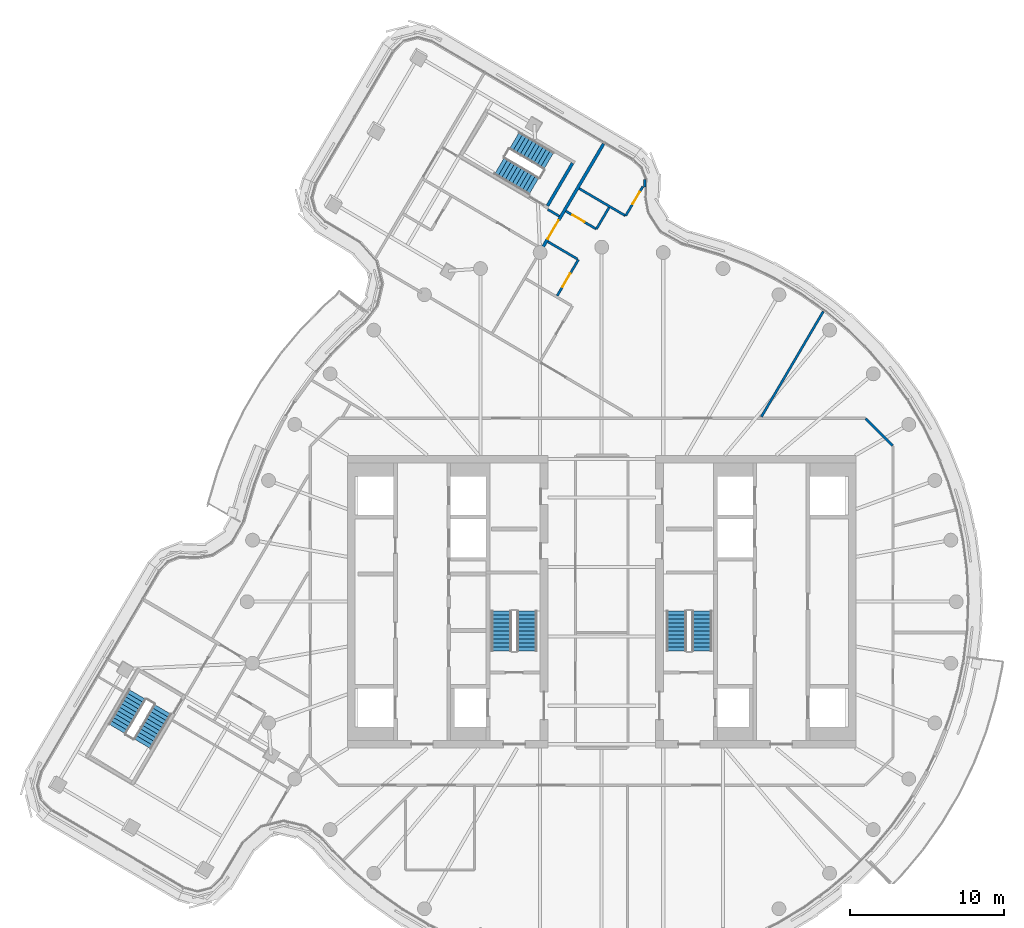
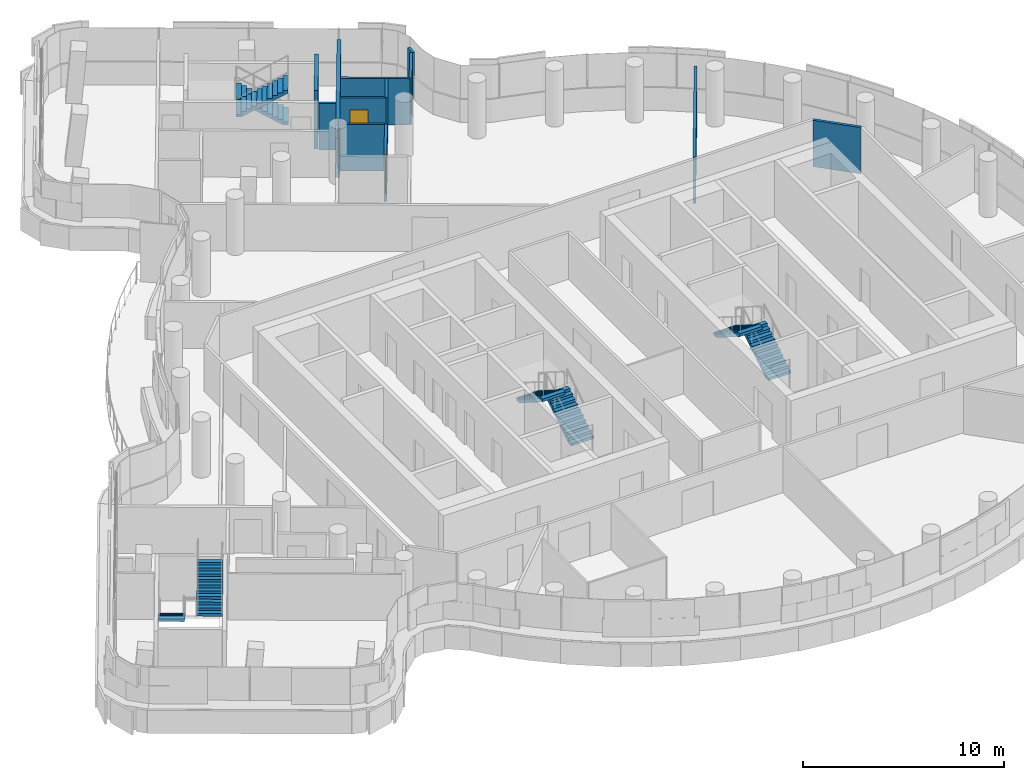
# One storey, part 20 of 26: 12 walls, 8 stair flights, 4 doors, 4 openings, 4 elements without a shape of their own.
"""IFC4 building model written with IfcOpenShell, lengths in metres."""

from ifc_helpers import new_model, si_unit, direction, frame, frame_2d, origin, place, context, subcontext, project, spatial, polyline, rectangle, outline, extrude, material, layer, layer_set, type_object, element, fill, aggregate, save


model = new_model("IFC4")

# Units and contexts
model_context = context("Model", 3, precision=1e-05, world=origin(), true_north=direction((0.0, 1.0)))
body_context = subcontext(model_context, "Body", "Model", "MODEL_VIEW")
ifc_project = project(units=[si_unit("LENGTHUNIT", "METRE"), si_unit("AREAUNIT", "SQUARE_METRE"), si_unit("VOLUMEUNIT", "CUBIC_METRE"), si_unit("PLANEANGLEUNIT", "RADIAN"), si_unit("MASSUNIT", "GRAM", prefix="KILO")], contexts=[model_context])

# Site, building, storey
site_placement = place(None, origin())
site = spatial("IfcSite", under=ifc_project, at=site_placement, CompositionType="ELEMENT")
building_placement = place(site_placement, origin())
building = spatial("IfcBuilding", under=site, at=building_placement, Name="Tamarind Cross Interchange Tower", CompositionType="ELEMENT")
storey_placement = place(building_placement, frame((0.0, 0.0, 248.699951171875)))
storey = spatial("IfcBuildingStorey", under=building, at=storey_placement, Name="L63", CompositionType="ELEMENT", Elevation=248.699951171875)

# Walls
ifc_material_1 = material(Name="Gypsum board partition on steel studs", Category="steel")
ifc_layer_1 = layer(ifc_material_1, 0.14990234375)
ifc_layer_set_1 = layer_set([ifc_layer_1], Name="Gypsum board partition on steel studs")
wall_type_1 = type_object("IfcWallType", Name="Partition 150 mm EI 120", PredefinedType="PARTITIONING", material=ifc_layer_set_1)
wall_1_placement = place(storey_placement, frame((17.12841796875, 11.87158203125, 0.0), z_axis=(0.0, 0.0, 1.0), x_axis=(0.707106781187, -0.707106781187, 0.0)))
element("IfcWall", 1, at=wall_1_placement, inside=storey, type_object=wall_type_1, Name="Partition L63-003", PredefinedType="PARTITIONING", context=body_context, shape_type="SweptSolid", body=[
    extrude(rectangle(XDim=2.465087890625, YDim=0.14990234375, at=frame_2d((1.232421875, 0.0))), origin(), (0.0, 0.0, 1.0), 2.823974609375),
])
wall_2_placement = place(storey_placement, frame((-3.49560546875, 25.446533203125, 0.0), z_axis=(0.0, 0.0, 1.0), x_axis=(0.862116595813, -0.50670995177, 0.0)))
element("IfcWall", 2, at=wall_2_placement, inside=storey, type_object=wall_type_1, Name="Partition L63-018", PredefinedType="PARTITIONING", context=body_context, shape_type="SweptSolid", body=[
    extrude(rectangle(XDim=0.860107421875, YDim=0.14990234375, at=frame_2d((0.43017578125, 0.0))), origin(), (0.0, 0.0, 1.0), 2.823974609375),
])
wall_3_placement = place(storey_placement, frame((-3.493896484375, 23.357421875, 0.0), z_axis=(0.0, 0.0, 1.0), x_axis=(0.862114686067, -0.506713201, 0.0)))
element("IfcWall", 3, at=wall_3_placement, inside=storey, type_object=wall_type_1, Name="Partition L63-020", PredefinedType="PARTITIONING", context=body_context, shape_type="SweptSolid", body=[
    extrude(rectangle(XDim=2.22509765625, YDim=0.14990234375, at=frame_2d((1.112548828125, 0.0))), origin(), (0.0, 0.0, 1.0), 2.823974609375),
])

# Wall, opening, door
wall_4_placement = place(storey_placement, frame((-2.328857421875, 25.34033203125, 0.0), z_axis=(0.0, 0.0, 1.0), x_axis=(0.862115841081, -0.506711235871, 0.0)))
wall_4 = element("IfcWall", 4, at=wall_4_placement, inside=storey, type_object=wall_type_1, Name="Partition L63-021", PredefinedType="PARTITIONING", context=body_context, shape_type="SweptSolid", body=[
    extrude(rectangle(XDim=2.280029296875, YDim=0.14990234375, at=frame_2d((1.14013671875, 0.0))), origin(), (0.0, 0.0, 1.0), 2.823974609375),
])
opening_1_placement = place(wall_4_placement, frame((0.5, 0.0, 0.0)))
opening_1 = element("IfcOpeningElement", 5, at=opening_1_placement, cuts=wall_4, Name="Opening D06", PredefinedType="OPENING", context=body_context, shape_type="SweptSolid", body=[
    extrude(rectangle(XDim=0.89990234375, YDim=2.10009765625, at=frame_2d((0.449951171875, 1.050048828125))), frame((0.0, 0.0849609375, 0.0), z_axis=(0.0, -1.0, 0.0), x_axis=(1.0, 0.0, 0.0)), (0.0, 0.0, 1.0), 0.169921875),
])
ifc_material_2 = material(Name="Fire-resisting door set")
door_type_1 = type_object("IfcDoorType", Name="Interior door 900 x 2100 FD60S", OperationType="SINGLE_SWING_LEFT", PredefinedType="DOOR", material=ifc_material_2)
door_1_placement = place(opening_1_placement, origin())
door_1 = element("IfcDoor", 6, at=door_1_placement, inside=storey, type_object=door_type_1, Name="Door D06", OperationType="SINGLE_SWING_RIGHT", OverallHeight=2.10009765625, OverallWidth=0.89990234375, PredefinedType="DOOR", context=body_context, shape_type="SweptSolid", body=[
    extrude(rectangle(XDim=0.89990234375, YDim=2.10009765625, at=frame_2d((0.449951171875, 1.050048828125))), frame((0.0, 0.02490234375, 0.0), z_axis=(0.0, -1.0, 0.0), x_axis=(1.0, 0.0, 0.0)), (0.0, 0.0, 1.0), 0.050048828125),
])
fill(opening_1, door_1)

# Wall
wall_5_placement = place(storey_placement, frame((-1.466796875, 26.806396484375, 0.0), z_axis=(0.0, 0.0, 1.0), x_axis=(0.861936018647, -0.507017060619, 0.0)))
element("IfcWall", 7, at=wall_5_placement, inside=storey, type_object=wall_type_1, Name="Partition L63-022", PredefinedType="PARTITIONING", context=body_context, shape_type="SweptSolid", body=[
    extrude(rectangle(XDim=3.47998046875, YDim=0.14990234375, at=frame_2d((1.739990234375, 0.0))), origin(), (0.0, 0.0, 1.0), 2.823974609375),
])

# Wall, opening, door
wall_6_placement = place(storey_placement, frame((1.55126953125, 25.03125, 0.0), z_axis=(0.0, 0.0, 1.0), x_axis=(0.506846086744, 0.862036567874, 0.0)))
wall_6 = element("IfcWall", 8, at=wall_6_placement, inside=storey, type_object=wall_type_1, Name="Partition L63-047", PredefinedType="PARTITIONING", context=body_context, shape_type="SweptSolid", body=[
    extrude(rectangle(XDim=2.20703125, YDim=0.14990234375, at=frame_2d((1.103515625, 0.0))), origin(), (0.0, 0.0, 1.0), 2.823974609375),
])
opening_2_placement = place(wall_6_placement, frame((0.89990234375, 0.0, 0.0)))
opening_2 = element("IfcOpeningElement", 9, at=opening_2_placement, cuts=wall_6, Name="Opening D20", PredefinedType="OPENING", context=body_context, shape_type="SweptSolid", body=[
    extrude(rectangle(XDim=0.89990234375, YDim=2.10009765625, at=frame_2d((0.449951171875, 1.050048828125))), frame((0.0, 0.0849609375, 0.0), z_axis=(0.0, -1.0, 0.0), x_axis=(1.0, 0.0, 0.0)), (0.0, 0.0, 1.0), 0.169921875),
])
door_2_placement = place(opening_2_placement, origin())
door_2 = element("IfcDoor", 10, at=door_2_placement, inside=storey, type_object=door_type_1, Name="Door D20", OperationType="SINGLE_SWING_LEFT", OverallHeight=2.10009765625, OverallWidth=0.89990234375, PredefinedType="DOOR", context=body_context, shape_type="SweptSolid", body=[
    extrude(rectangle(XDim=0.89990234375, YDim=2.10009765625, at=frame_2d((0.449951171875, 1.050048828125))), frame((0.0, 0.02490234375, 0.0), z_axis=(0.0, -1.0, 0.0), x_axis=(1.0, 0.0, 0.0)), (0.0, 0.0, 1.0), 0.050048828125),
])
fill(opening_2, door_2)

wall_7_placement = place(storey_placement, frame((-2.889404296875, 19.846923828125, 0.0), z_axis=(0.0, 0.0, 1.0), x_axis=(0.506753377111, 0.862091071051, 0.0)))
wall_7 = element("IfcWall", 11, at=wall_7_placement, inside=storey, type_object=wall_type_1, Name="Partition L63-048", PredefinedType="PARTITIONING", context=body_context, shape_type="SweptSolid", body=[
    extrude(rectangle(XDim=2.72021484375, YDim=0.14990234375, at=frame_2d((1.360107421875, 0.0))), origin(), (0.0, 0.0, 1.0), 2.823974609375),
])
opening_3_placement = place(wall_7_placement, frame((0.669921875, 0.0, 0.0)))
opening_3 = element("IfcOpeningElement", 12, at=opening_3_placement, cuts=wall_7, Name="Opening D21", PredefinedType="OPENING", context=body_context, shape_type="SweptSolid", body=[
    extrude(rectangle(XDim=1.0, YDim=2.10009765625, at=frame_2d((0.5, 1.050048828125))), frame((0.0, 0.0849609375, 0.0), z_axis=(0.0, -1.0, 0.0), x_axis=(1.0, 0.0, 0.0)), (0.0, 0.0, 1.0), 0.169921875),
])
door_type_2 = type_object("IfcDoorType", Name="Interior door 1000 x 2100 FD60S", OperationType="SINGLE_SWING_LEFT", PredefinedType="DOOR", material=ifc_material_2)
door_3_placement = place(opening_3_placement, origin())
door_3 = element("IfcDoor", 13, at=door_3_placement, inside=storey, type_object=door_type_2, Name="Door D21", OperationType="SINGLE_SWING_RIGHT", OverallHeight=2.10009765625, OverallWidth=1.0, PredefinedType="DOOR", context=body_context, shape_type="SweptSolid", body=[
    extrude(rectangle(XDim=1.0, YDim=2.10009765625, at=frame_2d((0.5, 1.050048828125))), frame((0.0, 0.02490234375, 0.0), z_axis=(0.0, -1.0, 0.0), x_axis=(1.0, 0.0, 0.0)), (0.0, 0.0, 1.0), 0.050048828125),
])
fill(opening_3, door_3)

# Walls
wall_8_placement = place(storey_placement, frame((-0.345458984375, 24.1748046875, 0.0), z_axis=(0.0, 0.0, 1.0), x_axis=(0.50671800572, 0.862111862045, 0.0)))
element("IfcWall", 14, at=wall_8_placement, inside=storey, type_object=wall_type_1, Name="Partition L63-049", PredefinedType="PARTITIONING", context=body_context, shape_type="SweptSolid", body=[
    extrude(rectangle(XDim=1.624755859375, YDim=0.14990234375, at=frame_2d((0.8125, 0.0))), origin(), (0.0, 0.0, 1.0), 2.823974609375),
])
wall_9_placement = place(storey_placement, frame((10.358642578125, 11.994873046875, 0.0), z_axis=(0.0, 0.0, 1.0), x_axis=(0.506707864141, 0.862117822816, 0.0)))
element("IfcWall", 15, at=wall_9_placement, inside=storey, type_object=wall_type_1, Name="Partition L63-050", PredefinedType="PARTITIONING", context=body_context, shape_type="SweptSolid", body=[
    extrude(rectangle(XDim=7.927734375, YDim=0.14990234375, at=frame_2d((3.9638671875, 0.0))), origin(), (0.0, 0.0, 1.0), 2.823974609375),
])
wall_10_placement = place(storey_placement, frame((2.781982421875, 26.890869140625, 0.0), z_axis=(0.0, 0.0, 1.0), x_axis=(0.037607785157, 0.999292577024, 0.0)))
element("IfcWall", 16, at=wall_10_placement, inside=storey, type_object=wall_type_1, Name="Partition L63-058", PredefinedType="PARTITIONING", context=body_context, shape_type="SweptSolid", body=[
    extrude(rectangle(XDim=0.499755859375, YDim=0.14990234375, at=frame_2d((0.25, 0.0))), origin(), (0.0, 0.0, 1.0), 2.823974609375),
])

# Wall, opening, door
ifc_layer_2 = layer(ifc_material_1, 0.199951171875)
ifc_layer_set_2 = layer_set([ifc_layer_2], Name="Gypsum board partition on steel studs")
wall_type_2 = type_object("IfcWallType", Name="Partition 200 mm EI 180", PredefinedType="PARTITIONING", material=ifc_layer_set_2)
wall_11_placement = place(storey_placement, frame((-3.90283203125, 22.85888671875, 0.0), z_axis=(0.0, 0.0, 1.0), x_axis=(0.506788872143, 0.862070205419, 0.0)))
wall_11 = element("IfcWall", 17, at=wall_11_placement, inside=storey, type_object=wall_type_2, Name="Partition L63-045", PredefinedType="PARTITIONING", context=body_context, shape_type="SweptSolid", body=[
    extrude(rectangle(XDim=7.936279296875, YDim=0.199951171875, at=frame_2d((3.96826171875, 0.0))), origin(), (0.0, 0.0, 1.0), 2.820068359375),
])
opening_4_placement = place(wall_11_placement, frame((0.787109375, 0.0, 0.0)))
opening_4 = element("IfcOpeningElement", 18, at=opening_4_placement, cuts=wall_11, Name="Opening D18", PredefinedType="OPENING", context=body_context, shape_type="SweptSolid", body=[
    extrude(rectangle(XDim=1.39990234375, YDim=2.10009765625, at=frame_2d((0.699951171875, 1.050048828125))), frame((0.0, 0.10986328125, 0.0), z_axis=(0.0, -1.0, 0.0), x_axis=(1.0, 0.0, 0.0)), (0.0, 0.0, 1.0), 0.219970703125),
])
door_type_3 = type_object("IfcDoorType", Name="Interior door 1400 x 2100 FD120S", OperationType="DOUBLE_DOOR_SINGLE_SWING", PredefinedType="DOOR", material=ifc_material_2)
door_4_placement = place(opening_4_placement, frame((1.39990234375, 0.0, 0.0), z_axis=(0.0, 0.0, 1.0), x_axis=(-1.0, 0.0, 0.0)))
door_4 = element("IfcDoor", 19, at=door_4_placement, inside=storey, type_object=door_type_3, Name="Door D18", OperationType="DOUBLE_DOOR_SINGLE_SWING", OverallHeight=2.10009765625, OverallWidth=1.39990234375, PredefinedType="DOOR", context=body_context, shape_type="SweptSolid", body=[
    extrude(rectangle(XDim=1.39990234375, YDim=2.10009765625, at=frame_2d((0.699951171875, 1.050048828125))), frame((0.0, 0.02490234375, 0.0), z_axis=(0.0, -1.0, 0.0), x_axis=(1.0, 0.0, 0.0)), (0.0, 0.0, 1.0), 0.050048828125),
])
fill(opening_4, door_4)

# Wall
ifc_material_3 = material(Name="Concrete C40", Category="concrete")
ifc_layer_3 = layer(ifc_material_3, 0.199951171875)
ifc_layer_set_3 = layer_set([ifc_layer_3], Name="Concrete C40")
wall_type_3 = type_object("IfcWallType", Name="Stair shaft wall 200 mm Concrete C40", PredefinedType="SHEAR", material=ifc_layer_set_3)
wall_12_placement = place(storey_placement, frame((-1.893310546875, 28.44873046875, -0.139892578125), z_axis=(0.0, 0.0, 1.0), x_axis=(-0.506733365032, -0.862102834216, 0.0)))
element("IfcWall", 20, at=wall_12_placement, inside=storey, type_object=wall_type_3, Name="Core wall CWL-L63-ST4-CE", PredefinedType="SHEAR", context=body_context, shape_type="SweptSolid", body=[
    extrude(rectangle(XDim=3.199951171875, YDim=0.199951171875, at=frame_2d((1.60009765625, 0.0))), origin(), (0.0, 0.0, 1.0), 3.56005859375),
])

# Stair, stair flights
ifc_material_4 = material(Name="Exit stair")
stair_type = type_object("IfcStairType", Name="Exit stair", PredefinedType="HALF_TURN_STAIR", material=ifc_material_4)
stair_1_placement = place(storey_placement, origin())
stair_1 = element("IfcStair", 21, at=stair_1_placement, inside=storey, type_object=stair_type, Name="L63 exit stair ST1", PredefinedType="HALF_TURN_STAIR")
ifc_material_5 = material(Name="Exit stair flight")
stair_flight_type = type_object("IfcStairFlightType", Name="Exit stair flight", PredefinedType="STRAIGHT", material=ifc_material_5)
stair_flight_1_placement = place(storey_placement, frame((-4.85009765625, -3.199951171875, 0.0), z_axis=(0.0, 0.0, 1.0), x_axis=(0.0, 1.0, 0.0)))
stair_flight_1 = element("IfcStairFlight", 22, at=stair_flight_1_placement, type_object=stair_flight_type, Name="ST1 flight 1", NumberOfRisers=11, NumberOfTreads=10, PredefinedType="STRAIGHT", RiserHeight=0.163636364, TreadLength=0.26, context=body_context, shape_type="SweptSolid", body=[
    extrude(outline(polyline([(0.0, 0.0), (0.0, 0.16357421875), (0.260009765625, 0.16357421875), (0.260009765625, 0.327392578125), (0.52001953125, 0.327392578125), (0.52001953125, 0.490966796875), (0.780029296875, 0.490966796875), (0.780029296875, 0.654541015625), (1.0400390625, 0.654541015625), (1.0400390625, 0.818115234375), (1.300048828125, 0.818115234375), (1.300048828125, 0.98193359375), (1.56005859375, 0.98193359375), (1.56005859375, 1.1455078125), (1.820068359375, 1.1455078125), (1.820068359375, 1.30908203125), (2.080078125, 1.30908203125), (2.080078125, 1.47265625), (2.340087890625, 1.47265625), (2.340087890625, 1.636474609375), (2.60009765625, 1.636474609375), (2.60009765625, 1.800048828125), (2.60009765625, 1.459228515625), (0.281494140625, 0.0), (0.0, 0.0)])), frame((0.0, 0.64990234375, 0.0), z_axis=(0.0, -1.0, 0.0), x_axis=(1.0, 0.0, 0.0)), (0.0, 0.0, 1.0), 1.300048828125),
])
stair_flight_2_placement = place(storey_placement, frame((-6.5, -0.60009765625, 1.800048828125), z_axis=(0.0, 0.0, 1.0), x_axis=(0.0, -1.0, 0.0)))
stair_flight_2 = element("IfcStairFlight", 23, at=stair_flight_2_placement, type_object=stair_flight_type, Name="ST1 flight 2", NumberOfRisers=11, NumberOfTreads=10, PredefinedType="STRAIGHT", RiserHeight=0.163636364, TreadLength=0.26, context=body_context, shape_type="SweptSolid", body=[
    extrude(outline(polyline([(0.0, 0.0), (0.0, 0.16357421875), (0.260009765625, 0.16357421875), (0.260009765625, 0.327392578125), (0.52001953125, 0.327392578125), (0.52001953125, 0.490966796875), (0.780029296875, 0.490966796875), (0.780029296875, 0.654541015625), (1.0400390625, 0.654541015625), (1.0400390625, 0.818115234375), (1.300048828125, 0.818115234375), (1.300048828125, 0.98193359375), (1.56005859375, 0.98193359375), (1.56005859375, 1.1455078125), (1.820068359375, 1.1455078125), (1.820068359375, 1.30908203125), (2.080078125, 1.30908203125), (2.080078125, 1.47265625), (2.340087890625, 1.47265625), (2.340087890625, 1.636474609375), (2.60009765625, 1.636474609375), (2.60009765625, 1.800048828125), (2.60009765625, 1.459228515625), (0.281494140625, 0.0), (0.0, 0.0)])), frame((0.0, 0.64990234375, 0.0), z_axis=(0.0, -1.0, 0.0), x_axis=(1.0, 0.0, 0.0)), (0.0, 0.0, 1.0), 1.300048828125),
])
aggregate(stair_1, [stair_flight_1, stair_flight_2])

stair_2_placement = place(storey_placement, origin())
stair_2 = element("IfcStair", 24, at=stair_2_placement, inside=storey, type_object=stair_type, Name="L63 exit stair ST2", PredefinedType="HALF_TURN_STAIR")
stair_flight_3_placement = place(storey_placement, frame((6.5, -3.199951171875, 0.0), z_axis=(0.0, 0.0, 1.0), x_axis=(0.0, 1.0, 0.0)))
stair_flight_3 = element("IfcStairFlight", 25, at=stair_flight_3_placement, type_object=stair_flight_type, Name="ST2 flight 1", NumberOfRisers=11, NumberOfTreads=10, PredefinedType="STRAIGHT", RiserHeight=0.163636364, TreadLength=0.26, context=body_context, shape_type="SweptSolid", body=[
    extrude(outline(polyline([(0.0, 0.0), (0.0, 0.16357421875), (0.260009765625, 0.16357421875), (0.260009765625, 0.327392578125), (0.52001953125, 0.327392578125), (0.52001953125, 0.490966796875), (0.780029296875, 0.490966796875), (0.780029296875, 0.654541015625), (1.0400390625, 0.654541015625), (1.0400390625, 0.818115234375), (1.300048828125, 0.818115234375), (1.300048828125, 0.98193359375), (1.56005859375, 0.98193359375), (1.56005859375, 1.1455078125), (1.820068359375, 1.1455078125), (1.820068359375, 1.30908203125), (2.080078125, 1.30908203125), (2.080078125, 1.47265625), (2.340087890625, 1.47265625), (2.340087890625, 1.636474609375), (2.60009765625, 1.636474609375), (2.60009765625, 1.800048828125), (2.60009765625, 1.459228515625), (0.281494140625, 0.0), (0.0, 0.0)])), frame((0.0, 0.64990234375, 0.0), z_axis=(0.0, -1.0, 0.0), x_axis=(1.0, 0.0, 0.0)), (0.0, 0.0, 1.0), 1.300048828125),
])
stair_flight_4_placement = place(storey_placement, frame((4.85009765625, -0.60009765625, 1.800048828125), z_axis=(0.0, 0.0, 1.0), x_axis=(0.0, -1.0, 0.0)))
stair_flight_4 = element("IfcStairFlight", 26, at=stair_flight_4_placement, type_object=stair_flight_type, Name="ST2 flight 2", NumberOfRisers=11, NumberOfTreads=10, PredefinedType="STRAIGHT", RiserHeight=0.163636364, TreadLength=0.26, context=body_context, shape_type="SweptSolid", body=[
    extrude(outline(polyline([(0.0, 0.0), (0.0, 0.16357421875), (0.260009765625, 0.16357421875), (0.260009765625, 0.327392578125), (0.52001953125, 0.327392578125), (0.52001953125, 0.490966796875), (0.780029296875, 0.490966796875), (0.780029296875, 0.654541015625), (1.0400390625, 0.654541015625), (1.0400390625, 0.818115234375), (1.300048828125, 0.818115234375), (1.300048828125, 0.98193359375), (1.56005859375, 0.98193359375), (1.56005859375, 1.1455078125), (1.820068359375, 1.1455078125), (1.820068359375, 1.30908203125), (2.080078125, 1.30908203125), (2.080078125, 1.47265625), (2.340087890625, 1.47265625), (2.340087890625, 1.636474609375), (2.60009765625, 1.636474609375), (2.60009765625, 1.800048828125), (2.60009765625, 1.459228515625), (0.281494140625, 0.0), (0.0, 0.0)])), frame((0.0, 0.64990234375, 0.0), z_axis=(0.0, -1.0, 0.0), x_axis=(1.0, 0.0, 0.0)), (0.0, 0.0, 1.0), 1.300048828125),
])
aggregate(stair_2, [stair_flight_3, stair_flight_4])

stair_3_placement = place(storey_placement, origin())
stair_3 = element("IfcStair", 27, at=stair_3_placement, inside=storey, type_object=stair_type, Name="L63 exit stair ST4", PredefinedType="HALF_TURN_STAIR")
stair_flight_5_placement = place(storey_placement, frame((-3.4296875, 28.59765625, 0.0), z_axis=(0.0, 0.0, 1.0), x_axis=(-0.862103583695, 0.506732089945, 0.0)))
stair_flight_5 = element("IfcStairFlight", 28, at=stair_flight_5_placement, type_object=stair_flight_type, Name="ST4 flight 1", NumberOfRisers=11, NumberOfTreads=10, PredefinedType="STRAIGHT", RiserHeight=0.163636364, TreadLength=0.26, context=body_context, shape_type="SweptSolid", body=[
    extrude(outline(polyline([(0.0, 0.0), (0.0, 0.16357421875), (0.260009765625, 0.16357421875), (0.260009765625, 0.327392578125), (0.52001953125, 0.327392578125), (0.52001953125, 0.490966796875), (0.780029296875, 0.490966796875), (0.780029296875, 0.654541015625), (1.0400390625, 0.654541015625), (1.0400390625, 0.818115234375), (1.300048828125, 0.818115234375), (1.300048828125, 0.98193359375), (1.56005859375, 0.98193359375), (1.56005859375, 1.1455078125), (1.820068359375, 1.1455078125), (1.820068359375, 1.30908203125), (2.080078125, 1.30908203125), (2.080078125, 1.47265625), (2.340087890625, 1.47265625), (2.340087890625, 1.636474609375), (2.60009765625, 1.636474609375), (2.60009765625, 1.800048828125), (2.60009765625, 1.459228515625), (0.281494140625, 0.0), (0.0, 0.0)])), frame((0.0, 0.64990234375, 0.0), z_axis=(0.0, -1.0, 0.0), x_axis=(1.0, 0.0, 0.0)), (0.0, 0.0, 1.0), 1.300048828125),
])
stair_flight_6_placement = place(storey_placement, frame((-6.634033203125, 28.27734375, 1.800048828125), z_axis=(0.0, 0.0, 1.0), x_axis=(0.862103583695, -0.506732089945, 0.0)))
stair_flight_6 = element("IfcStairFlight", 29, at=stair_flight_6_placement, type_object=stair_flight_type, Name="ST4 flight 2", NumberOfRisers=11, NumberOfTreads=10, PredefinedType="STRAIGHT", RiserHeight=0.163636364, TreadLength=0.26, context=body_context, shape_type="SweptSolid", body=[
    extrude(outline(polyline([(0.0, 0.0), (0.0, 0.16357421875), (0.260009765625, 0.16357421875), (0.260009765625, 0.327392578125), (0.52001953125, 0.327392578125), (0.52001953125, 0.490966796875), (0.780029296875, 0.490966796875), (0.780029296875, 0.654541015625), (1.0400390625, 0.654541015625), (1.0400390625, 0.818115234375), (1.300048828125, 0.818115234375), (1.300048828125, 0.98193359375), (1.56005859375, 0.98193359375), (1.56005859375, 1.1455078125), (1.820068359375, 1.1455078125), (1.820068359375, 1.30908203125), (2.080078125, 1.30908203125), (2.080078125, 1.47265625), (2.340087890625, 1.47265625), (2.340087890625, 1.636474609375), (2.60009765625, 1.636474609375), (2.60009765625, 1.800048828125), (2.60009765625, 1.459228515625), (0.281494140625, 0.0), (0.0, 0.0)])), frame((0.0, 0.64990234375, 0.0), z_axis=(0.0, -1.0, 0.0), x_axis=(1.0, 0.0, 0.0)), (0.0, 0.0, 1.0), 1.300048828125),
])
aggregate(stair_3, [stair_flight_5, stair_flight_6])

stair_4_placement = place(storey_placement, origin())
stair_4 = element("IfcStair", 30, at=stair_4_placement, inside=storey, type_object=stair_type, Name="L63 exit stair ST5", PredefinedType="HALF_TURN_STAIR")
stair_flight_7_placement = place(storey_placement, frame((-30.117919921875, -6.015869140625, 0.0), z_axis=(0.0, 0.0, 1.0), x_axis=(-0.506732089945, -0.862103583695, 0.0)))
stair_flight_7 = element("IfcStairFlight", 31, at=stair_flight_7_placement, type_object=stair_flight_type, Name="ST5 flight 1", NumberOfRisers=11, NumberOfTreads=10, PredefinedType="STRAIGHT", RiserHeight=0.163636364, TreadLength=0.26, context=body_context, shape_type="SweptSolid", body=[
    extrude(outline(polyline([(0.0, 0.0), (0.0, 0.16357421875), (0.260009765625, 0.16357421875), (0.260009765625, 0.327392578125), (0.52001953125, 0.327392578125), (0.52001953125, 0.490966796875), (0.780029296875, 0.490966796875), (0.780029296875, 0.654541015625), (1.0400390625, 0.654541015625), (1.0400390625, 0.818115234375), (1.300048828125, 0.818115234375), (1.300048828125, 0.98193359375), (1.56005859375, 0.98193359375), (1.56005859375, 1.1455078125), (1.820068359375, 1.1455078125), (1.820068359375, 1.30908203125), (2.080078125, 1.30908203125), (2.080078125, 1.47265625), (2.340087890625, 1.47265625), (2.340087890625, 1.636474609375), (2.60009765625, 1.636474609375), (2.60009765625, 1.800048828125), (2.60009765625, 1.459228515625), (0.281494140625, 0.0), (0.0, 0.0)])), frame((0.0, 0.64990234375, 0.0), z_axis=(0.0, -1.0, 0.0), x_axis=(1.0, 0.0, 0.0)), (0.0, 0.0, 1.0), 1.300048828125),
])
stair_flight_8_placement = place(storey_placement, frame((-29.79736328125, -9.22021484375, 1.800048828125), z_axis=(0.0, 0.0, 1.0), x_axis=(0.506732089945, 0.862103583695, 0.0)))
stair_flight_8 = element("IfcStairFlight", 32, at=stair_flight_8_placement, type_object=stair_flight_type, Name="ST5 flight 2", NumberOfRisers=11, NumberOfTreads=10, PredefinedType="STRAIGHT", RiserHeight=0.163636364, TreadLength=0.26, context=body_context, shape_type="SweptSolid", body=[
    extrude(outline(polyline([(0.0, 0.0), (0.0, 0.16357421875), (0.260009765625, 0.16357421875), (0.260009765625, 0.327392578125), (0.52001953125, 0.327392578125), (0.52001953125, 0.490966796875), (0.780029296875, 0.490966796875), (0.780029296875, 0.654541015625), (1.0400390625, 0.654541015625), (1.0400390625, 0.818115234375), (1.300048828125, 0.818115234375), (1.300048828125, 0.98193359375), (1.56005859375, 0.98193359375), (1.56005859375, 1.1455078125), (1.820068359375, 1.1455078125), (1.820068359375, 1.30908203125), (2.080078125, 1.30908203125), (2.080078125, 1.47265625), (2.340087890625, 1.47265625), (2.340087890625, 1.636474609375), (2.60009765625, 1.636474609375), (2.60009765625, 1.800048828125), (2.60009765625, 1.459228515625), (0.281494140625, 0.0), (0.0, 0.0)])), frame((0.0, 0.64990234375, 0.0), z_axis=(0.0, -1.0, 0.0), x_axis=(1.0, 0.0, 0.0)), (0.0, 0.0, 1.0), 1.300048828125),
])
aggregate(stair_4, [stair_flight_7, stair_flight_8])

save(model, "model.ifc")
